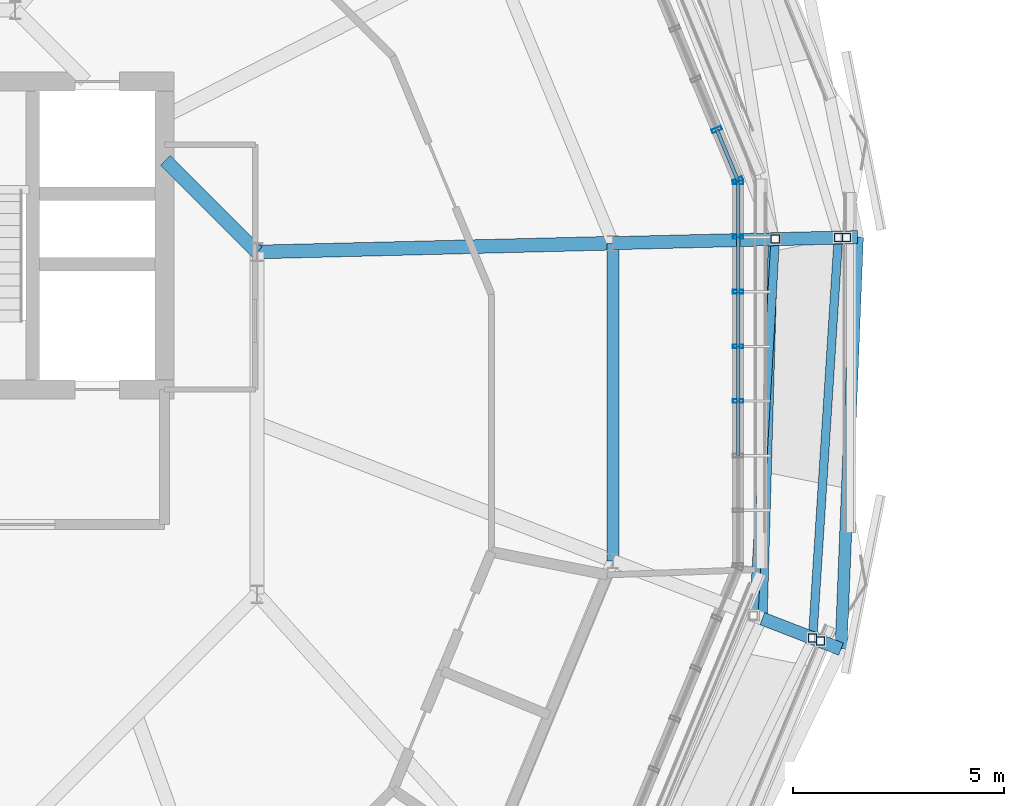
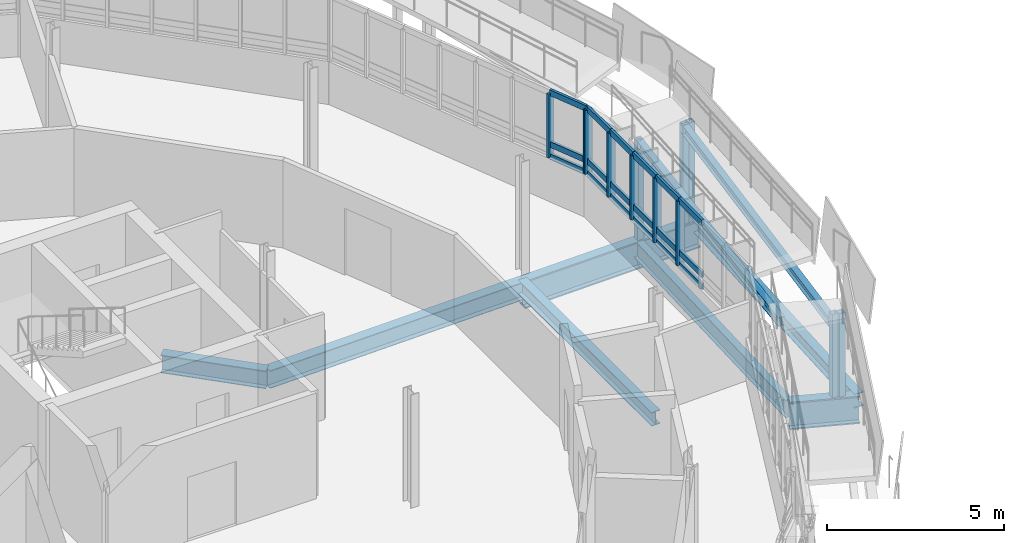
# One storey, part 14 of 38: 30 members, 10 beams, 2 elements without a shape of their own.
"""IFC4 building model written with IfcOpenShell, lengths in metres."""

from ifc_helpers import new_model, si_unit, derived_unit, direction, frame, origin, origin_2d, place, context, subcontext, project, spatial, hollow_rectangle, i_section, extrude, material, layer, layer_set, material_profile, profile_set, type_object, element, aggregate, save


model = new_model("IFC4")

# Units and contexts
model_context = context("Model", 3, precision=1e-05, world=origin(), true_north=direction((0.0, 1.0)))
body_context = subcontext(model_context, "Body", "Model", "MODEL_VIEW")
ifc_project = project(units=[si_unit("LENGTHUNIT", "METRE"), si_unit("AREAUNIT", "SQUARE_METRE"), si_unit("VOLUMEUNIT", "CUBIC_METRE"), si_unit("PLANEANGLEUNIT", "RADIAN"), si_unit("MASSUNIT", "GRAM", prefix="KILO"), derived_unit("THERMALTRANSMITTANCEUNIT", [(si_unit("MASSUNIT", "GRAM", prefix="KILO"), 1), (si_unit("TIMEUNIT", "SECOND"), -3), (si_unit("THERMODYNAMICTEMPERATUREUNIT", "KELVIN"), -1)])], contexts=[model_context])

# Site, building, storey
site_placement = place(None, origin())
site = spatial("IfcSite", under=ifc_project, at=site_placement, CompositionType="ELEMENT")
building_placement = place(site_placement, origin())
building = spatial("IfcBuilding", under=site, at=building_placement, Name="Makaiwela Harbour Ferry Terminal", CompositionType="ELEMENT")
storey_placement = place(building_placement, frame((0.0, 0.0, 17.699951171875)))
storey = spatial("IfcBuildingStorey", under=building, at=storey_placement, Name="L04", CompositionType="ELEMENT", Elevation=17.699951171875)

# Curtain wall, members
ifc_material_1 = material(Name="Marine anodised aluminium 6063-T6", Category="aluminium")
ifc_layer = layer(ifc_material_1, 0.199951171875)
ifc_layer_set = layer_set([ifc_layer], Name="Marine anodised aluminium 6063-T6")
curtain_wall_type = type_object("IfcCurtainWallType", Name="ENV-CW-06", PredefinedType="USERDEFINED", material=ifc_layer_set)
curtain_wall_1_placement = place(storey_placement, origin())
curtain_wall_1 = element("IfcCurtainWall", 1, at=curtain_wall_1_placement, inside=storey, type_object=curtain_wall_type, Name="Unitised Curtain Wall CWA-043", ObjectType="UNITIZED CURTAIN WALL", PredefinedType="USERDEFINED")
ifc_material_profile_1 = material_profile(ifc_material_1, hollow_rectangle(XDim=0.0849609375, YDim=0.25, WallThickness=0.0048828125, at=origin_2d()), Name="CWM-250X85")
ifc_profile_set_1 = profile_set([ifc_material_profile_1], Name="Marine anodised aluminium 6063-T6")
member_type_1 = type_object("IfcMemberType", Name="CW-MUL-250", PredefinedType="MULLION", material=ifc_profile_set_1)
member_1_placement = place(storey_placement, frame((58.989013671875, 73.36279296875, 1.47998046875), z_axis=(0.0, 0.0, 1.0), x_axis=(-0.382683432365, 0.923879532511, 0.0)))
member_1 = element("IfcMember", 2, at=member_1_placement, type_object=member_type_1, Name="Curtain Wall Mullion CWA-043-1", PredefinedType="MULLION", context=body_context, shape_type="SweptSolid", body=[
    extrude(hollow_rectangle(XDim=0.0849609375, YDim=0.25, WallThickness=0.0048828125, at=origin_2d()), origin(), (0.0, 0.0, 1.0), 2.199951171875),
])
member_2_placement = place(storey_placement, frame((58.492919921875, 74.559814453125, 1.47998046875), z_axis=(0.0, 0.0, 1.0), x_axis=(-0.382683432365, 0.923879532511, 0.0)))
member_2 = element("IfcMember", 3, at=member_2_placement, type_object=member_type_1, Name="Curtain Wall Mullion CWA-043-2", PredefinedType="MULLION", context=body_context, shape_type="SweptSolid", body=[
    extrude(hollow_rectangle(XDim=0.0849609375, YDim=0.25, WallThickness=0.0048828125, at=origin_2d()), origin(), (0.0, 0.0, 1.0), 2.199951171875),
])

curtain_wall_2_placement = place(storey_placement, origin())
curtain_wall_2 = element("IfcCurtainWall", 4, at=curtain_wall_2_placement, inside=storey, type_object=curtain_wall_type, Name="Unitised Curtain Wall CWA-057", ObjectType="UNITIZED CURTAIN WALL", PredefinedType="USERDEFINED")
member_3_placement = place(storey_placement, frame((59.00048828125, 68.1220703125, 1.47998046875), z_axis=(0.0, 0.0, 1.0), x_axis=(0.0, 1.0, 0.0)))
member_3 = element("IfcMember", 5, at=member_3_placement, type_object=member_type_1, Name="Curtain Wall Mullion CWA-057-4", PredefinedType="MULLION", context=body_context, shape_type="SweptSolid", body=[
    extrude(hollow_rectangle(XDim=0.0849609375, YDim=0.25, WallThickness=0.0048828125, at=origin_2d()), origin(), (0.0, 0.0, 1.0), 2.199951171875),
])
member_4_placement = place(storey_placement, frame((59.00048828125, 69.41796875, 1.47998046875), z_axis=(0.0, 0.0, 1.0), x_axis=(0.0, 1.0, 0.0)))
member_4 = element("IfcMember", 6, at=member_4_placement, type_object=member_type_1, Name="Curtain Wall Mullion CWA-057-5", PredefinedType="MULLION", context=body_context, shape_type="SweptSolid", body=[
    extrude(hollow_rectangle(XDim=0.0849609375, YDim=0.25, WallThickness=0.0048828125, at=origin_2d()), origin(), (0.0, 0.0, 1.0), 2.199951171875),
])
member_5_placement = place(storey_placement, frame((59.00048828125, 70.713623046875, 1.47998046875), z_axis=(0.0, 0.0, 1.0), x_axis=(0.0, 1.0, 0.0)))
member_5 = element("IfcMember", 7, at=member_5_placement, type_object=member_type_1, Name="Curtain Wall Mullion CWA-057-6", PredefinedType="MULLION", context=body_context, shape_type="SweptSolid", body=[
    extrude(hollow_rectangle(XDim=0.0849609375, YDim=0.25, WallThickness=0.0048828125, at=origin_2d()), origin(), (0.0, 0.0, 1.0), 2.199951171875),
])
member_6_placement = place(storey_placement, frame((59.00048828125, 72.009521484375, 1.47998046875), z_axis=(0.0, 0.0, 1.0), x_axis=(0.0, 1.0, 0.0)))
member_6 = element("IfcMember", 8, at=member_6_placement, type_object=member_type_1, Name="Curtain Wall Mullion CWA-057-7", PredefinedType="MULLION", context=body_context, shape_type="SweptSolid", body=[
    extrude(hollow_rectangle(XDim=0.0849609375, YDim=0.25, WallThickness=0.0048828125, at=origin_2d()), origin(), (0.0, 0.0, 1.0), 2.199951171875),
])
member_7_placement = place(storey_placement, frame((59.00048828125, 73.30517578125, 1.47998046875), z_axis=(0.0, 0.0, 1.0), x_axis=(0.0, 1.0, 0.0)))
member_7 = element("IfcMember", 9, at=member_7_placement, type_object=member_type_1, Name="Curtain Wall Mullion CWA-057-8", PredefinedType="MULLION", context=body_context, shape_type="SweptSolid", body=[
    extrude(hollow_rectangle(XDim=0.0849609375, YDim=0.25, WallThickness=0.0048828125, at=origin_2d()), origin(), (0.0, 0.0, 1.0), 2.199951171875),
])

# Member
ifc_material_profile_2 = material_profile(ifc_material_1, hollow_rectangle(XDim=0.0849609375, YDim=0.199951171875, WallThickness=0.0048828125, at=origin_2d()), Name="CWT-200X85")
ifc_profile_set_2 = profile_set([ifc_material_profile_2], Name="Marine anodised aluminium 6063-T6")
member_type_2 = type_object("IfcMemberType", Name="CW-TRN-200", PredefinedType="USERDEFINED", material=ifc_profile_set_2)
member_8_placement = place(storey_placement, frame((58.989013671875, 73.36279296875, 1.47998046875), z_axis=(-0.382862084562, 0.92380551211, 0.0), x_axis=(-0.92380551211, -0.382862084562, 0.0)))
member_8 = element("IfcMember", 10, at=member_8_placement, type_object=member_type_2, Name="Curtain Wall Transom CWA-043-1-1", ObjectType="TRANSOM", PredefinedType="USERDEFINED", context=body_context, shape_type="SweptSolid", body=[
    extrude(hollow_rectangle(XDim=0.0849609375, YDim=0.199951171875, WallThickness=0.0048828125, at=origin_2d()), origin(), (0.0, 0.0, 1.0), 1.295654296875),
])

member_9_placement = place(storey_placement, frame((58.989013671875, 73.36279296875, 1.900146484375), z_axis=(-0.382862084562, 0.92380551211, 0.0), x_axis=(-0.92380551211, -0.382862084562, 0.0)))
member_9 = element("IfcMember", 11, at=member_9_placement, type_object=member_type_2, Name="Curtain Wall Transom CWA-043-1-2", ObjectType="TRANSOM", PredefinedType="USERDEFINED", context=body_context, shape_type="SweptSolid", body=[
    extrude(hollow_rectangle(XDim=0.0849609375, YDim=0.199951171875, WallThickness=0.0048828125, at=origin_2d()), origin(), (0.0, 0.0, 1.0), 1.295654296875),
])

member_10_placement = place(storey_placement, frame((58.989013671875, 73.36279296875, 3.679931640625), z_axis=(-0.382862084562, 0.92380551211, 0.0), x_axis=(-0.92380551211, -0.382862084562, 0.0)))
member_10 = element("IfcMember", 12, at=member_10_placement, type_object=member_type_2, Name="Curtain Wall Transom CWA-043-1-3", ObjectType="TRANSOM", PredefinedType="USERDEFINED", context=body_context, shape_type="SweptSolid", body=[
    extrude(hollow_rectangle(XDim=0.0849609375, YDim=0.199951171875, WallThickness=0.0048828125, at=origin_2d()), origin(), (0.0, 0.0, 1.0), 1.295654296875),
])

aggregate(curtain_wall_1, [member_1, member_2, member_8, member_9, member_10])

member_11_placement = place(storey_placement, frame((59.00048828125, 66.826416015625, 1.47998046875), z_axis=(0.0, 1.0, 0.0), x_axis=(-1.0, 0.0, 0.0)))
member_11 = element("IfcMember", 13, at=member_11_placement, type_object=member_type_2, Name="Curtain Wall Transom CWA-057-3-1", ObjectType="TRANSOM", PredefinedType="USERDEFINED", context=body_context, shape_type="SweptSolid", body=[
    extrude(hollow_rectangle(XDim=0.0849609375, YDim=0.199951171875, WallThickness=0.0048828125, at=origin_2d()), origin(), (0.0, 0.0, 1.0), 1.295654296875),
])

member_12_placement = place(storey_placement, frame((59.00048828125, 66.826416015625, 1.900146484375), z_axis=(0.0, 1.0, 0.0), x_axis=(-1.0, 0.0, 0.0)))
member_12 = element("IfcMember", 14, at=member_12_placement, type_object=member_type_2, Name="Curtain Wall Transom CWA-057-3-2", ObjectType="TRANSOM", PredefinedType="USERDEFINED", context=body_context, shape_type="SweptSolid", body=[
    extrude(hollow_rectangle(XDim=0.0849609375, YDim=0.199951171875, WallThickness=0.0048828125, at=origin_2d()), origin(), (0.0, 0.0, 1.0), 1.295654296875),
])

member_13_placement = place(storey_placement, frame((59.00048828125, 66.826416015625, 3.679931640625), z_axis=(0.0, 1.0, 0.0), x_axis=(-1.0, 0.0, 0.0)))
member_13 = element("IfcMember", 15, at=member_13_placement, type_object=member_type_2, Name="Curtain Wall Transom CWA-057-3-3", ObjectType="TRANSOM", PredefinedType="USERDEFINED", context=body_context, shape_type="SweptSolid", body=[
    extrude(hollow_rectangle(XDim=0.0849609375, YDim=0.199951171875, WallThickness=0.0048828125, at=origin_2d()), origin(), (0.0, 0.0, 1.0), 1.295654296875),
])

member_14_placement = place(storey_placement, frame((59.00048828125, 68.1220703125, 1.47998046875), z_axis=(0.0, 1.0, 0.0), x_axis=(-1.0, 0.0, 0.0)))
member_14 = element("IfcMember", 16, at=member_14_placement, type_object=member_type_2, Name="Curtain Wall Transom CWA-057-4-1", ObjectType="TRANSOM", PredefinedType="USERDEFINED", context=body_context, shape_type="SweptSolid", body=[
    extrude(hollow_rectangle(XDim=0.0849609375, YDim=0.199951171875, WallThickness=0.0048828125, at=origin_2d()), origin(), (0.0, 0.0, 1.0), 1.2958984375),
])

member_15_placement = place(storey_placement, frame((59.00048828125, 68.1220703125, 1.900146484375), z_axis=(0.0, 1.0, 0.0), x_axis=(-1.0, 0.0, 0.0)))
member_15 = element("IfcMember", 17, at=member_15_placement, type_object=member_type_2, Name="Curtain Wall Transom CWA-057-4-2", ObjectType="TRANSOM", PredefinedType="USERDEFINED", context=body_context, shape_type="SweptSolid", body=[
    extrude(hollow_rectangle(XDim=0.0849609375, YDim=0.199951171875, WallThickness=0.0048828125, at=origin_2d()), origin(), (0.0, 0.0, 1.0), 1.2958984375),
])

member_16_placement = place(storey_placement, frame((59.00048828125, 68.1220703125, 3.679931640625), z_axis=(0.0, 1.0, 0.0), x_axis=(-1.0, 0.0, 0.0)))
member_16 = element("IfcMember", 18, at=member_16_placement, type_object=member_type_2, Name="Curtain Wall Transom CWA-057-4-3", ObjectType="TRANSOM", PredefinedType="USERDEFINED", context=body_context, shape_type="SweptSolid", body=[
    extrude(hollow_rectangle(XDim=0.0849609375, YDim=0.199951171875, WallThickness=0.0048828125, at=origin_2d()), origin(), (0.0, 0.0, 1.0), 1.2958984375),
])

member_17_placement = place(storey_placement, frame((59.00048828125, 69.41796875, 1.47998046875), z_axis=(0.0, 1.0, 0.0), x_axis=(-1.0, 0.0, 0.0)))
member_17 = element("IfcMember", 19, at=member_17_placement, type_object=member_type_2, Name="Curtain Wall Transom CWA-057-5-1", ObjectType="TRANSOM", PredefinedType="USERDEFINED", context=body_context, shape_type="SweptSolid", body=[
    extrude(hollow_rectangle(XDim=0.0849609375, YDim=0.199951171875, WallThickness=0.0048828125, at=origin_2d()), origin(), (0.0, 0.0, 1.0), 1.295654296875),
])

member_18_placement = place(storey_placement, frame((59.00048828125, 69.41796875, 1.900146484375), z_axis=(0.0, 1.0, 0.0), x_axis=(-1.0, 0.0, 0.0)))
member_18 = element("IfcMember", 20, at=member_18_placement, type_object=member_type_2, Name="Curtain Wall Transom CWA-057-5-2", ObjectType="TRANSOM", PredefinedType="USERDEFINED", context=body_context, shape_type="SweptSolid", body=[
    extrude(hollow_rectangle(XDim=0.0849609375, YDim=0.199951171875, WallThickness=0.0048828125, at=origin_2d()), origin(), (0.0, 0.0, 1.0), 1.295654296875),
])

member_19_placement = place(storey_placement, frame((59.00048828125, 69.41796875, 3.679931640625), z_axis=(0.0, 1.0, 0.0), x_axis=(-1.0, 0.0, 0.0)))
member_19 = element("IfcMember", 21, at=member_19_placement, type_object=member_type_2, Name="Curtain Wall Transom CWA-057-5-3", ObjectType="TRANSOM", PredefinedType="USERDEFINED", context=body_context, shape_type="SweptSolid", body=[
    extrude(hollow_rectangle(XDim=0.0849609375, YDim=0.199951171875, WallThickness=0.0048828125, at=origin_2d()), origin(), (0.0, 0.0, 1.0), 1.295654296875),
])

member_20_placement = place(storey_placement, frame((59.00048828125, 70.713623046875, 1.47998046875), z_axis=(0.0, 1.0, 0.0), x_axis=(-1.0, 0.0, 0.0)))
member_20 = element("IfcMember", 22, at=member_20_placement, type_object=member_type_2, Name="Curtain Wall Transom CWA-057-6-1", ObjectType="TRANSOM", PredefinedType="USERDEFINED", context=body_context, shape_type="SweptSolid", body=[
    extrude(hollow_rectangle(XDim=0.0849609375, YDim=0.199951171875, WallThickness=0.0048828125, at=origin_2d()), origin(), (0.0, 0.0, 1.0), 1.2958984375),
])

member_21_placement = place(storey_placement, frame((59.00048828125, 70.713623046875, 1.900146484375), z_axis=(0.0, 1.0, 0.0), x_axis=(-1.0, 0.0, 0.0)))
member_21 = element("IfcMember", 23, at=member_21_placement, type_object=member_type_2, Name="Curtain Wall Transom CWA-057-6-2", ObjectType="TRANSOM", PredefinedType="USERDEFINED", context=body_context, shape_type="SweptSolid", body=[
    extrude(hollow_rectangle(XDim=0.0849609375, YDim=0.199951171875, WallThickness=0.0048828125, at=origin_2d()), origin(), (0.0, 0.0, 1.0), 1.2958984375),
])

member_22_placement = place(storey_placement, frame((59.00048828125, 70.713623046875, 3.679931640625), z_axis=(0.0, 1.0, 0.0), x_axis=(-1.0, 0.0, 0.0)))
member_22 = element("IfcMember", 24, at=member_22_placement, type_object=member_type_2, Name="Curtain Wall Transom CWA-057-6-3", ObjectType="TRANSOM", PredefinedType="USERDEFINED", context=body_context, shape_type="SweptSolid", body=[
    extrude(hollow_rectangle(XDim=0.0849609375, YDim=0.199951171875, WallThickness=0.0048828125, at=origin_2d()), origin(), (0.0, 0.0, 1.0), 1.2958984375),
])

member_23_placement = place(storey_placement, frame((59.00048828125, 72.009521484375, 1.47998046875), z_axis=(0.0, 1.0, 0.0), x_axis=(-1.0, 0.0, 0.0)))
member_23 = element("IfcMember", 25, at=member_23_placement, type_object=member_type_2, Name="Curtain Wall Transom CWA-057-7-1", ObjectType="TRANSOM", PredefinedType="USERDEFINED", context=body_context, shape_type="SweptSolid", body=[
    extrude(hollow_rectangle(XDim=0.0849609375, YDim=0.199951171875, WallThickness=0.0048828125, at=origin_2d()), origin(), (0.0, 0.0, 1.0), 1.295654296875),
])

member_24_placement = place(storey_placement, frame((59.00048828125, 72.009521484375, 1.900146484375), z_axis=(0.0, 1.0, 0.0), x_axis=(-1.0, 0.0, 0.0)))
member_24 = element("IfcMember", 26, at=member_24_placement, type_object=member_type_2, Name="Curtain Wall Transom CWA-057-7-2", ObjectType="TRANSOM", PredefinedType="USERDEFINED", context=body_context, shape_type="SweptSolid", body=[
    extrude(hollow_rectangle(XDim=0.0849609375, YDim=0.199951171875, WallThickness=0.0048828125, at=origin_2d()), origin(), (0.0, 0.0, 1.0), 1.295654296875),
])

member_25_placement = place(storey_placement, frame((59.00048828125, 72.009521484375, 3.679931640625), z_axis=(0.0, 1.0, 0.0), x_axis=(-1.0, 0.0, 0.0)))
member_25 = element("IfcMember", 27, at=member_25_placement, type_object=member_type_2, Name="Curtain Wall Transom CWA-057-7-3", ObjectType="TRANSOM", PredefinedType="USERDEFINED", context=body_context, shape_type="SweptSolid", body=[
    extrude(hollow_rectangle(XDim=0.0849609375, YDim=0.199951171875, WallThickness=0.0048828125, at=origin_2d()), origin(), (0.0, 0.0, 1.0), 1.295654296875),
])

aggregate(curtain_wall_2, [member_3, member_4, member_5, member_6, member_7, member_11, member_12, member_13, member_14, member_15, member_16, member_17, member_18, member_19, member_20, member_21, member_22, member_23, member_24, member_25])

# Beams
ifc_material_2 = material(Name="Steel ASTM A992 Grade 50", Category="steel")
ifc_material_profile_3 = material_profile(ifc_material_2, i_section(OverallWidth=0.324951171875, OverallDepth=0.615966796875, WebThickness=0.013916015625, FlangeThickness=0.021484375, at=origin_2d()), Name="W24X117")
ifc_profile_set_3 = profile_set([ifc_material_profile_3], Name="Steel ASTM A992 Grade 50")
beam_type_1 = type_object("IfcBeamType", Name="STR-GRD-W24X117", PredefinedType="USERDEFINED", material=ifc_profile_set_3)
beam_1_placement = place(storey_placement, frame((47.593017578125, 71.656494140625, -0.56298828125), z_axis=(-0.707106781187, 0.707106781187, 0.0), x_axis=(-0.707106781187, -0.707106781187, 0.0)))
element("IfcBeam", 28, at=beam_1_placement, inside=storey, type_object=beam_type_1, Name="Drum inner ring girder 370", ObjectType="GIRDER", PredefinedType="USERDEFINED", context=body_context, shape_type="SweptSolid", body=[
    extrude(i_section(OverallWidth=0.324951171875, OverallDepth=0.615966796875, WebThickness=0.013916015625, FlangeThickness=0.021484375, at=origin_2d()), origin(), (0.0, 0.0, 1.0), 3.0732421875),
])
beam_2_placement = place(storey_placement, frame((47.593017578125, 71.656494140625, -0.56298828125), z_axis=(0.999694028426, 0.024735592369, 0.0), x_axis=(-0.024735592369, 0.999694028426, 0.0)))
element("IfcBeam", 29, at=beam_2_placement, inside=storey, type_object=beam_type_1, Name="Drum radial girder 397", ObjectType="GIRDER", PredefinedType="USERDEFINED", context=body_context, shape_type="SweptSolid", body=[
    extrude(i_section(OverallWidth=0.324951171875, OverallDepth=0.615966796875, WebThickness=0.013916015625, FlangeThickness=0.021484375, at=origin_2d()), origin(), (0.0, 0.0, 1.0), 8.43896484375),
])
ifc_material_profile_4 = material_profile(ifc_material_2, i_section(OverallWidth=0.22900390625, OverallDepth=0.612060546875, WebThickness=0.011962890625, FlangeThickness=0.01953125, at=origin_2d()), Name="W24X84")
ifc_profile_set_4 = profile_set([ifc_material_profile_4], Name="Steel ASTM A992 Grade 50")
beam_type_2 = type_object("IfcBeamType", Name="STR-GRD-W24X84", PredefinedType="USERDEFINED", material=ifc_profile_set_4)
beam_3_placement = place(storey_placement, frame((59.572998046875, 62.963134765625, -0.56103515625), z_axis=(0.028321244668, 0.999598873099, 0.0), x_axis=(-0.999598873099, 0.028321244668, 0.0)))
element("IfcBeam", 30, at=beam_3_placement, inside=storey, type_object=beam_type_2, Name="Drum overhang tie girder 479", ObjectType="GIRDER", PredefinedType="USERDEFINED", context=body_context, shape_type="SweptSolid", body=[
    extrude(i_section(OverallWidth=0.22900390625, OverallDepth=0.612060546875, WebThickness=0.011962890625, FlangeThickness=0.01953125, at=origin_2d()), origin(), (0.0, 0.0, 1.0), 8.999755859375),
])
ifc_material_profile_5 = material_profile(ifc_material_2, i_section(OverallWidth=0.31005859375, OverallDepth=0.949951171875, WebThickness=0.0244140625, FlangeThickness=0.0439453125, at=origin_2d()), Name="W36X256")
ifc_profile_set_5 = profile_set([ifc_material_profile_5], Name="Steel ASTM A992 Grade 50")
beam_type_3 = type_object("IfcBeamType", Name="STR-GRD-W36X256", PredefinedType="USERDEFINED", material=ifc_profile_set_5)
beam_4_placement = place(storey_placement, frame((56.029296875, 71.865234375, -0.72998046875), z_axis=(0.99969399486, 0.024736948906, 0.0), x_axis=(-0.024736948906, 0.99969399486, 0.0)))
element("IfcBeam", 31, at=beam_4_placement, inside=storey, type_object=beam_type_3, Name="Drum radial overhang 398", ObjectType="GIRDER", PredefinedType="USERDEFINED", context=body_context, shape_type="SweptSolid", body=[
    extrude(i_section(OverallWidth=0.31005859375, OverallDepth=0.949951171875, WebThickness=0.0244140625, FlangeThickness=0.0439453125, at=origin_2d()), origin(), (0.0, 0.0, 1.0), 3.7998046875),
])
beam_5_placement = place(storey_placement, frame((59.827880859375, 71.959228515625, -0.72998046875), z_axis=(0.99969296052, 0.024778714406, 0.0), x_axis=(-0.024778714406, 0.99969296052, 0.0)))
element("IfcBeam", 32, at=beam_5_placement, inside=storey, type_object=beam_type_3, Name="Drum overhang radial girder 399", ObjectType="GIRDER", PredefinedType="USERDEFINED", context=body_context, shape_type="SweptSolid", body=[
    extrude(i_section(OverallWidth=0.31005859375, OverallDepth=0.949951171875, WebThickness=0.0244140625, FlangeThickness=0.0439453125, at=origin_2d()), origin(), (0.0, 0.0, 1.0), 2.000244140625),
])
beam_6_placement = place(storey_placement, frame((59.572998046875, 62.963134765625, -0.72998046875), z_axis=(0.932585330079, -0.360949583906, 0.0), x_axis=(0.360949583906, 0.932585330079, 0.0)))
element("IfcBeam", 33, at=beam_6_placement, inside=storey, type_object=beam_type_3, Name="Drum overhang radial girder 452", ObjectType="GIRDER", PredefinedType="USERDEFINED", context=body_context, shape_type="SweptSolid", body=[
    extrude(i_section(OverallWidth=0.31005859375, OverallDepth=0.949951171875, WebThickness=0.0244140625, FlangeThickness=0.0439453125, at=origin_2d()), origin(), (0.0, 0.0, 1.0), 2.0),
])
ifc_material_profile_6 = material_profile(ifc_material_2, i_section(OverallWidth=0.205078125, OverallDepth=0.31005859375, WebThickness=0.009521484375, FlangeThickness=0.016357421875, at=origin_2d()), Name="W12X50")
ifc_profile_set_6 = profile_set([ifc_material_profile_6], Name="Steel ASTM A992 Grade 50")
beam_type_4 = type_object("IfcBeamType", Name="STR-LNT-W12X50", PredefinedType="LINTEL", material=ifc_profile_set_6)
beam_7_placement = place(storey_placement, frame((59.367919921875, 63.04248046875, 2.455810546875), z_axis=(0.057093741608, 0.996426274935, 0.062249363759), x_axis=(-0.998362471384, 0.057204682781, 0.0)))
element("IfcBeam", 34, at=beam_7_placement, inside=storey, type_object=beam_type_4, Name="Coiled Ramp Stringer L04-F6-IN", PredefinedType="LINTEL", context=body_context, shape_type="SweptSolid", body=[
    extrude(i_section(OverallWidth=0.205078125, OverallDepth=0.31005859375, WebThickness=0.009521484375, FlangeThickness=0.016357421875, at=origin_2d()), origin(), (0.0, 0.0, 1.0), 8.949951171875),
])
beam_8_placement = place(storey_placement, frame((60.764892578125, 62.501953125, 2.218017578125), z_axis=(0.063949309563, 0.99449997846, 0.08294744511), x_axis=(-0.997938952981, 0.064170445863, 0.0)))
element("IfcBeam", 35, at=beam_8_placement, inside=storey, type_object=beam_type_4, Name="Coiled Ramp Stringer L04-F6-OUT", PredefinedType="LINTEL", context=body_context, shape_type="SweptSolid", body=[
    extrude(i_section(OverallWidth=0.205078125, OverallDepth=0.31005859375, WebThickness=0.009521484375, FlangeThickness=0.016357421875, at=origin_2d()), origin(), (0.0, 0.0, 1.0), 9.548095703125),
])

# Members
ifc_material_3 = material(Name="Steel ASTM A500 Grade C", Category="steel")
ifc_material_profile_7 = material_profile(ifc_material_3, hollow_rectangle(XDim=0.202880859375, YDim=0.202880859375, WallThickness=0.01171875, at=origin_2d()), Name="HSS8X8X1/2")
ifc_profile_set_7 = profile_set([ifc_material_profile_7], Name="Steel ASTM A500 Grade C")
member_type_3 = type_object("IfcMemberType", Name="STR-PST-HSS8", PredefinedType="POST", material=ifc_profile_set_7)
member_26_placement = place(storey_placement, frame((59.87890625, 71.96044921875, -0.27490234375), z_axis=(0.0, 0.0, 1.0), x_axis=(1.0, 0.0, 0.0)))
element("IfcMember", 36, at=member_26_placement, inside=storey, type_object=member_type_3, Name="Exterior Ramp Support Post RP-0118", PredefinedType="POST", context=body_context, shape_type="SweptSolid", body=[
    extrude(hollow_rectangle(XDim=0.202880859375, YDim=0.202880859375, WallThickness=0.01171875, at=origin_2d()), origin(), (0.0, 0.0, 1.0), 3.44287109375),
])
member_27_placement = place(storey_placement, frame((60.764892578125, 62.501953125, -0.27490234375), z_axis=(0.0, 0.0, 1.0), x_axis=(1.0, 0.0, 0.0)))
element("IfcMember", 37, at=member_27_placement, inside=storey, type_object=member_type_3, Name="Exterior Ramp Support Post RP-0119", PredefinedType="POST", context=body_context, shape_type="SweptSolid", body=[
    extrude(hollow_rectangle(XDim=0.202880859375, YDim=0.202880859375, WallThickness=0.01171875, at=origin_2d()), origin(), (0.0, 0.0, 1.0), 2.882568359375),
])
member_28_placement = place(storey_placement, frame((60.948486328125, 62.430908203125, -0.27490234375), z_axis=(0.0, 0.0, 1.0), x_axis=(1.0, 0.0, 0.0)))
element("IfcMember", 38, at=member_28_placement, inside=storey, type_object=member_type_3, Name="Exterior Ramp Support Post RP-0120", PredefinedType="POST", context=body_context, shape_type="SweptSolid", body=[
    extrude(hollow_rectangle(XDim=0.202880859375, YDim=0.202880859375, WallThickness=0.01171875, at=origin_2d()), origin(), (0.0, 0.0, 1.0), 2.890625),
])
member_29_placement = place(storey_placement, frame((61.37548828125, 71.99755859375, -0.27490234375), z_axis=(0.0, 0.0, 1.0), x_axis=(1.0, 0.0, 0.0)))
element("IfcMember", 39, at=member_29_placement, inside=storey, type_object=member_type_3, Name="Exterior Ramp Support Post RP-0121", PredefinedType="POST", context=body_context, shape_type="SweptSolid", body=[
    extrude(hollow_rectangle(XDim=0.202880859375, YDim=0.202880859375, WallThickness=0.01171875, at=origin_2d()), origin(), (0.0, 0.0, 1.0), 3.43994140625),
])
member_30_placement = place(storey_placement, frame((61.572509765625, 72.00244140625, -0.27490234375), z_axis=(0.0, 0.0, 1.0), x_axis=(1.0, 0.0, 0.0)))
element("IfcMember", 40, at=member_30_placement, inside=storey, type_object=member_type_3, Name="Exterior Ramp Support Post RP-0122", PredefinedType="POST", context=body_context, shape_type="SweptSolid", body=[
    extrude(hollow_rectangle(XDim=0.202880859375, YDim=0.202880859375, WallThickness=0.01171875, at=origin_2d()), origin(), (0.0, 0.0, 1.0), 3.44775390625),
])

# Beams
ifc_material_profile_8 = material_profile(ifc_material_2, i_section(OverallWidth=0.283935546875, OverallDepth=0.47607421875, WebThickness=0.014892578125, FlangeThickness=0.02392578125, at=origin_2d()), Name="W18X106")
ifc_profile_set_8 = profile_set([ifc_material_profile_8], Name="Steel ASTM A992 Grade 50")
beam_type_5 = type_object("IfcBeamType", Name="STR-SPN-W18X106", PredefinedType="SPANDREL", material=ifc_profile_set_8)
beam_9_placement = place(storey_placement, frame((56.029296875, 64.334716796875, -0.492919921875), z_axis=(0.0, 1.0, 0.0), x_axis=(-1.0, 0.0, 0.0)))
element("IfcBeam", 41, at=beam_9_placement, inside=storey, type_object=beam_type_5, Name="Drum column ring girder 396", PredefinedType="SPANDREL", context=body_context, shape_type="SweptSolid", body=[
    extrude(i_section(OverallWidth=0.283935546875, OverallDepth=0.47607421875, WebThickness=0.014892578125, FlangeThickness=0.02392578125, at=origin_2d()), origin(), (0.0, 0.0, 1.0), 7.530517578125),
])
beam_10_placement = place(storey_placement, frame((61.438232421875, 62.2412109375, -0.492919921875), z_axis=(0.039810446821, 0.999207249936, 0.0), x_axis=(-0.999207249936, 0.039810446821, 0.0)))
element("IfcBeam", 42, at=beam_10_placement, inside=storey, type_object=beam_type_5, Name="Drum perimeter spandrel 495", PredefinedType="SPANDREL", context=body_context, shape_type="SweptSolid", body=[
    extrude(i_section(OverallWidth=0.283935546875, OverallDepth=0.47607421875, WebThickness=0.014892578125, FlangeThickness=0.02392578125, at=origin_2d()), origin(), (0.0, 0.0, 1.0), 9.775390625),
])

save(model, "model.ifc")
